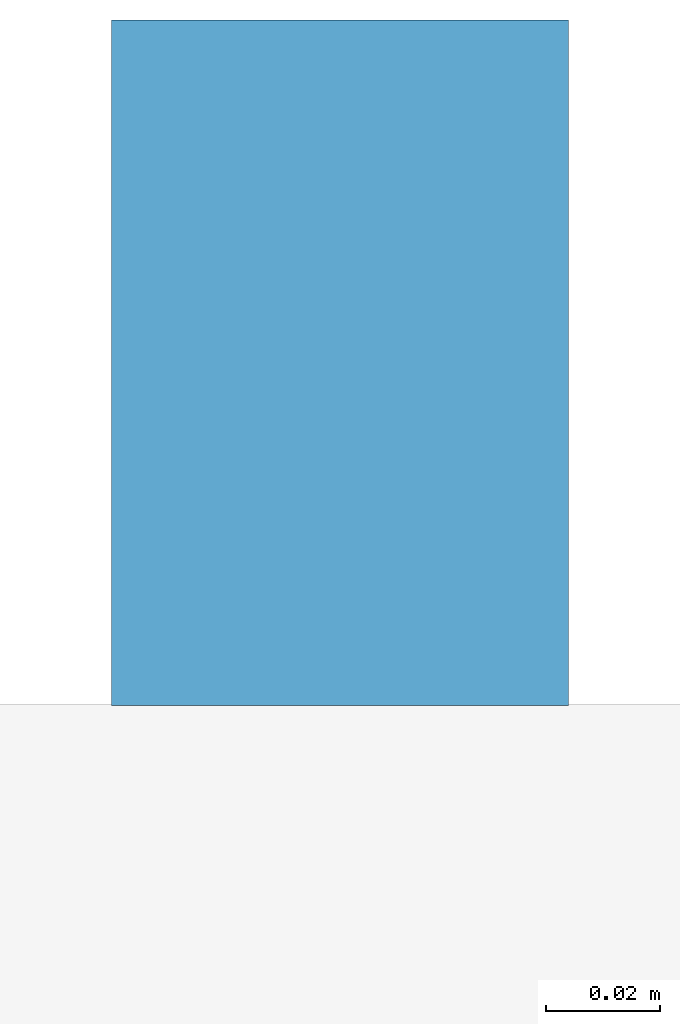
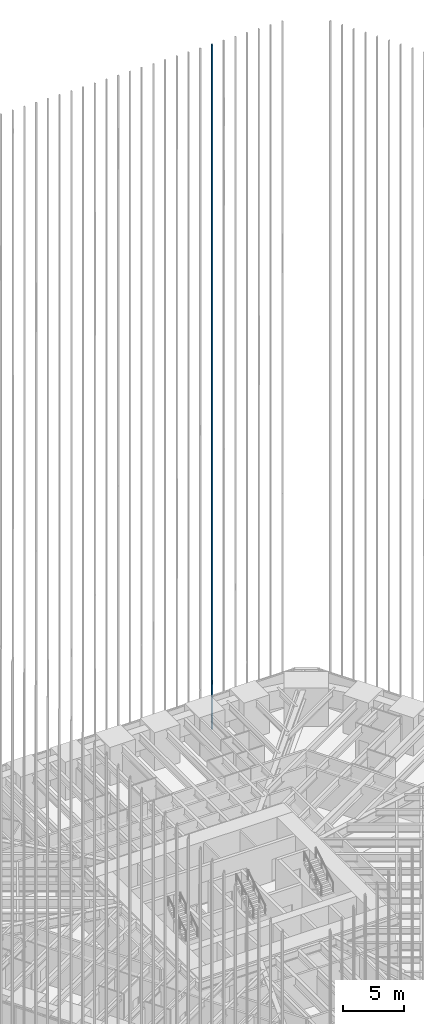
# One storey, part 229 of 256: 1 member, 1 element without a shape of its own.
"""IFC4 building model written with IfcOpenShell, lengths in metres."""

from ifc_helpers import new_model, si_unit, direction, frame, origin, origin_2d, place, context, subcontext, project, spatial, rectangle, extrude, material, material_profile, profile_set, type_object, element, aggregate, save


model = new_model("IFC4")

# Units and contexts
model_context = context("Model", 3, precision=1e-05, world=origin(), true_north=direction((0.0, 1.0)))
body_context = subcontext(model_context, "Body", "Model", "MODEL_VIEW")
ifc_project = project(units=[si_unit("LENGTHUNIT", "METRE"), si_unit("AREAUNIT", "SQUARE_METRE"), si_unit("VOLUMEUNIT", "CUBIC_METRE"), si_unit("PLANEANGLEUNIT", "RADIAN"), si_unit("MASSUNIT", "GRAM", prefix="KILO")], contexts=[model_context])

# Site, building, storey
site_placement = place(None, origin())
site = spatial("IfcSite", under=ifc_project, at=site_placement, CompositionType="ELEMENT")
building_placement = place(site_placement, origin())
building = spatial("IfcBuilding", under=site, at=building_placement, Name="Sandreach Pilgrim Tower", CompositionType="ELEMENT")
storey_placement = place(building_placement, frame((0.0, 0.0, 23.0)))
storey = spatial("IfcBuildingStorey", under=building, at=storey_placement, Name="L04", CompositionType="ELEMENT", Elevation=23.0)

# Curtain wall, member
ifc_material_1 = material(Name="Aluminium framed curtain wall", Category="aluminium")
curtain_wall_type = type_object("IfcCurtainWallType", Name="Hostel tower curtain wall", PredefinedType="NOTDEFINED", material=ifc_material_1)
curtain_wall_placement = place(storey_placement, origin())
curtain_wall = element("IfcCurtainWall", 1, at=curtain_wall_placement, inside=storey, type_object=curtain_wall_type, Name="CW-1 L04 N", PredefinedType="NOTDEFINED")
ifc_material_2 = material(Name="Extruded terracotta on aluminium core", Category="masonry")
ifc_material_profile = material_profile(ifc_material_2, rectangle(XDim=0.080078125, YDim=0.1201171875, at=origin_2d()), Name="TBN 80X120")
ifc_profile_set = profile_set([ifc_material_profile], Name="Extruded terracotta on aluminium core")
member_type = type_object("IfcMemberType", Name="Terracotta baguette north", PredefinedType="USERDEFINED", material=ifc_profile_set)
member_placement = place(storey_placement, frame((12.14892578125, 24.30859375, 0.0), z_axis=(0.0, 0.0, 1.0), x_axis=(1.0, 0.0, 0.0)))
member = element("IfcMember", 2, at=member_placement, type_object=member_type, Name="Baguette Z1 N29", ObjectType="BAGUETTE", PredefinedType="USERDEFINED", context=body_context, shape_type="SweptSolid", body=[
    extrude(rectangle(XDim=0.080078125, YDim=0.1201171875, at=origin_2d()), origin(), (0.0, 0.0, 1.0), 68.239990234375),
])
aggregate(curtain_wall, [member])

save(model, "model.ifc")
